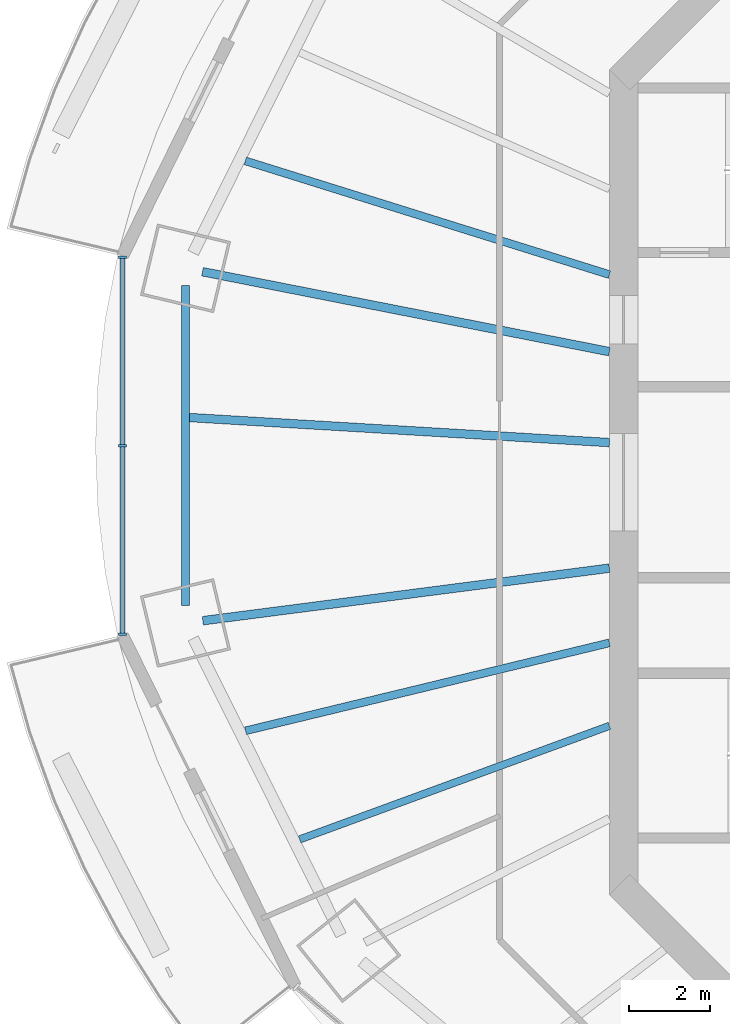
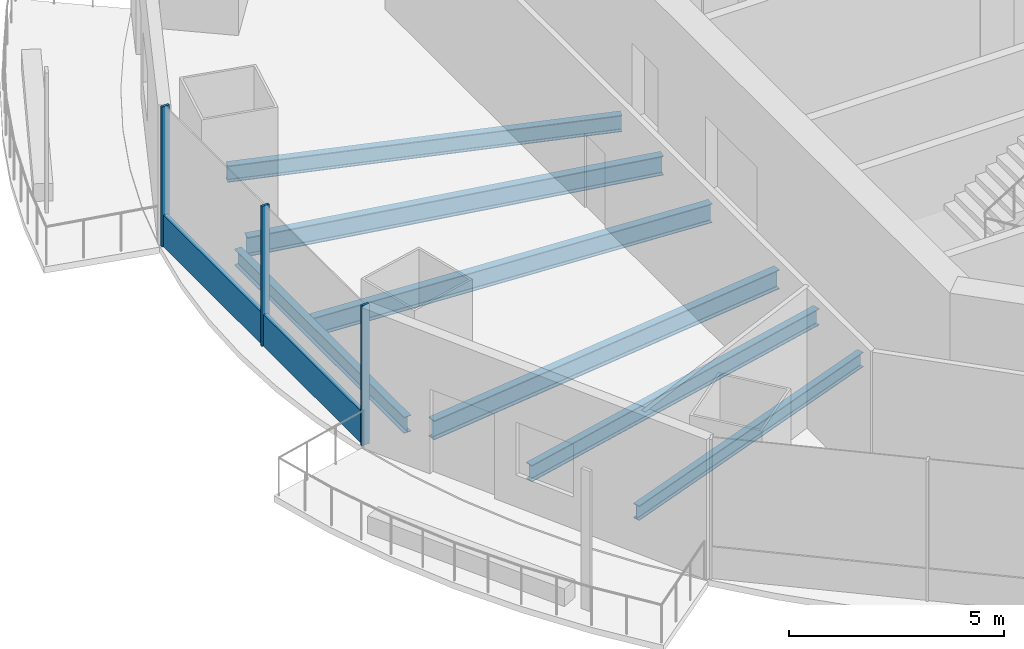
# One storey, part 3 of 16: 7 beams, 4 members, 1 element without a shape of its own.
"""IFC4 building model written with IfcOpenShell, lengths in metres."""

from ifc_helpers import new_model, si_unit, direction, frame, origin, origin_2d, place, context, subcontext, project, spatial, rectangle, i_section, extrude, material, material_profile, profile_set, type_object, element, aggregate, save


model = new_model("IFC4")

# Units and contexts
model_context = context("Model", 3, precision=1e-05, world=origin(), true_north=direction((0.0, 1.0)))
body_context = subcontext(model_context, "Body", "Model", "MODEL_VIEW")
ifc_project = project(units=[si_unit("LENGTHUNIT", "METRE"), si_unit("AREAUNIT", "SQUARE_METRE"), si_unit("VOLUMEUNIT", "CUBIC_METRE"), si_unit("PLANEANGLEUNIT", "RADIAN"), si_unit("MASSUNIT", "GRAM", prefix="KILO")], contexts=[model_context])

# Site, building, storey
site_placement = place(None, origin())
site = spatial("IfcSite", under=ifc_project, at=site_placement, CompositionType="ELEMENT")
building_placement = place(site_placement, origin())
building = spatial("IfcBuilding", under=site, at=building_placement, Name="Marenthal Gate Tower", CompositionType="ELEMENT")
storey_placement = place(building_placement, frame((0.0, 0.0, 296.949951171875)))
storey = spatial("IfcBuildingStorey", under=building, at=storey_placement, Name="L66", CompositionType="ELEMENT", Elevation=296.949951171875)

# Curtain wall, members
ifc_material_1 = material(Name="Aluminium and glass", Category="aluminium")
curtain_wall_type = type_object("IfcCurtainWallType", Name="Curtain wall typical high", PredefinedType="NOTDEFINED", material=ifc_material_1)
curtain_wall_placement = place(storey_placement, origin())
curtain_wall = element("IfcCurtainWall", 1, at=curtain_wall_placement, inside=storey, type_object=curtain_wall_type, Name="Curtain wall L66 bay 8", PredefinedType="NOTDEFINED")
ifc_material_2 = material(Name="Aluminium", Category="aluminium")
ifc_material_profile_1 = material_profile(ifc_material_2, rectangle(XDim=0.199951171875, YDim=0.06005859375, at=origin_2d()), Name="60x200 aluminium mullion")
ifc_profile_set_1 = profile_set([ifc_material_profile_1], Name="Aluminium")
member_type_1 = type_object("IfcMemberType", Name="Mullion 60x200 typical high", PredefinedType="MULLION", material=ifc_profile_set_1)
member_1_placement = place(storey_placement, frame((-28.328857421875, 5.5400390625, 0.0), z_axis=(0.0, 0.0, 1.0), x_axis=(1.0, 0.0, 0.0)))
member_1 = element("IfcMember", 2, at=member_1_placement, type_object=member_type_1, Name="Mullion L66 bay 8.1", PredefinedType="MULLION", context=body_context, shape_type="SweptSolid", body=[
    extrude(rectangle(XDim=0.199951171875, YDim=0.06005859375, at=origin_2d()), origin(), (0.0, 0.0, 1.0), 3.969970703125),
])
member_2_placement = place(storey_placement, frame((-28.328857421875, 0.89990234375, 0.0), z_axis=(0.0, 0.0, 1.0), x_axis=(1.0, 0.0, 0.0)))
member_2 = element("IfcMember", 3, at=member_2_placement, type_object=member_type_1, Name="Mullion L66 bay 8.2", PredefinedType="MULLION", context=body_context, shape_type="SweptSolid", body=[
    extrude(rectangle(XDim=0.199951171875, YDim=0.06005859375, at=origin_2d()), origin(), (0.0, 0.0, 1.0), 3.969970703125),
])
member_3_placement = place(storey_placement, frame((-28.328857421875, -3.739990234375, 0.0), z_axis=(0.0, 0.0, 1.0), x_axis=(1.0, 0.0, 0.0)))
member_3 = element("IfcMember", 4, at=member_3_placement, type_object=member_type_1, Name="Mullion L66 bay 8.3", PredefinedType="MULLION", context=body_context, shape_type="SweptSolid", body=[
    extrude(rectangle(XDim=0.199951171875, YDim=0.06005859375, at=origin_2d()), origin(), (0.0, 0.0, 1.0), 3.969970703125),
])
ifc_material_3 = material(Name="Aluminium", Category="aluminium")
ifc_material_profile_2 = material_profile(ifc_material_3, rectangle(XDim=0.1201171875, YDim=0.89990234375, at=origin_2d()), Name="120x900 aluminium transom")
ifc_profile_set_2 = profile_set([ifc_material_profile_2], Name="Aluminium")
member_type_2 = type_object("IfcMemberType", Name="Transom 120x900 typical high", PredefinedType="USERDEFINED", material=ifc_profile_set_2)
member_4_placement = place(storey_placement, frame((-28.328857421875, 5.510009765625, 0.449951171875), z_axis=(0.0, -1.0, 0.0), x_axis=(1.0, 0.0, 0.0)))
member_4 = element("IfcMember", 5, at=member_4_placement, type_object=member_type_2, Name="Transom L66 bay 8", ObjectType="TRANSOM", PredefinedType="USERDEFINED", context=body_context, shape_type="SweptSolid", body=[
    extrude(rectangle(XDim=0.1201171875, YDim=0.89990234375, at=origin_2d()), origin(), (0.0, 0.0, 1.0), 9.22021484375),
])
aggregate(curtain_wall, [member_1, member_2, member_3, member_4])

# Beams
ifc_material_4 = material(Name="Steel S355", Category="steel")
ifc_material_profile_3 = material_profile(ifc_material_4, i_section(OverallWidth=0.180908203125, OverallDepth=0.4169921875, WebThickness=0.010986328125, FlangeThickness=0.018310546875, FilletRadius=0.01025390625, at=origin_2d()), Name="W410X85")
ifc_profile_set_3 = profile_set([ifc_material_profile_3], Name="Steel S355")
beam_type_1 = type_object("IfcBeamType", Name="W410X85 beam", PredefinedType="BEAM", material=ifc_profile_set_3)
beam_1_placement = place(storey_placement, frame((-23.969970703125, -8.78662109375, -0.388427734375), z_axis=(0.938905805694, 0.344174211751, 0.0), x_axis=(-0.344174211751, 0.938905805694, 0.0)))
element("IfcBeam", 6, at=beam_1_placement, inside=storey, type_object=beam_type_1, Name="BM-L66-30", PredefinedType="BEAM", context=body_context, shape_type="SweptSolid", body=[
    extrude(i_section(OverallWidth=0.180908203125, OverallDepth=0.4169921875, WebThickness=0.010986328125, FlangeThickness=0.018310546875, FilletRadius=0.01025390625, at=origin_2d()), origin(), (0.0, 0.0, 1.0), 8.11572265625),
])
ifc_material_5 = material(Name="Steel S355", Category="steel")
ifc_material_profile_4 = material_profile(ifc_material_5, i_section(OverallWidth=0.19091796875, OverallDepth=0.45703125, WebThickness=0.009033203125, FlangeThickness=0.014404296875, FilletRadius=0.01025390625, at=origin_2d()), Name="W460X74")
ifc_profile_set_4 = profile_set([ifc_material_profile_4], Name="Steel S355")
beam_type_2 = type_object("IfcBeamType", Name="W460X74 beam", PredefinedType="BEAM", material=ifc_profile_set_4)
beam_2_placement = place(storey_placement, frame((-26.779296875, 4.83642578125, -0.408447265625), z_axis=(0.0, -1.0, 0.0), x_axis=(1.0, 0.0, 0.0)))
element("IfcBeam", 7, at=beam_2_placement, inside=storey, type_object=beam_type_2, Name="BM-L66-48", PredefinedType="BEAM", context=body_context, shape_type="SweptSolid", body=[
    extrude(i_section(OverallWidth=0.19091796875, OverallDepth=0.45703125, WebThickness=0.009033203125, FlangeThickness=0.014404296875, FilletRadius=0.01025390625, at=origin_2d()), origin(), (0.0, 0.0, 1.0), 7.872802734375),
])
ifc_material_6 = material(Name="Steel S355", Category="steel")
ifc_material_profile_5 = material_profile(ifc_material_6, i_section(OverallWidth=0.193115234375, OverallDepth=0.467041015625, WebThickness=0.011474609375, FlangeThickness=0.01904296875, FilletRadius=0.010009765625, at=origin_2d()), Name="W460X97")
ifc_profile_set_5 = profile_set([ifc_material_profile_5], Name="Steel S355")
beam_type_3 = type_object("IfcBeamType", Name="W460X97 beam", PredefinedType="BEAM", material=ifc_profile_set_5)
beam_3_placement = place(storey_placement, frame((-25.3056640625, 7.90625, -0.413330078125), z_axis=(0.954495718839, -0.298224617895, 0.0), x_axis=(0.298224617895, 0.954495718839, 0.0)))
element("IfcBeam", 8, at=beam_3_placement, inside=storey, type_object=beam_type_3, Name="BM-L66-27", PredefinedType="BEAM", context=body_context, shape_type="SweptSolid", body=[
    extrude(i_section(OverallWidth=0.193115234375, OverallDepth=0.467041015625, WebThickness=0.011474609375, FlangeThickness=0.01904296875, FilletRadius=0.010009765625, at=origin_2d()), origin(), (0.0, 0.0, 1.0), 9.382568359375),
])
beam_4_placement = place(storey_placement, frame((-25.301513671875, -6.11474609375, -0.413330078125), z_axis=(0.972016698111, 0.234911767679, 0.0), x_axis=(-0.234911767679, 0.972016698111, 0.0)))
element("IfcBeam", 9, at=beam_4_placement, inside=storey, type_object=beam_type_3, Name="BM-L66-29", PredefinedType="BEAM", context=body_context, shape_type="SweptSolid", body=[
    extrude(i_section(OverallWidth=0.193115234375, OverallDepth=0.467041015625, WebThickness=0.011474609375, FlangeThickness=0.01904296875, FilletRadius=0.010009765625, at=origin_2d()), origin(), (0.0, 0.0, 1.0), 9.209228515625),
])
ifc_material_7 = material(Name="Steel S355", Category="steel")
ifc_material_profile_6 = material_profile(ifc_material_7, i_section(OverallWidth=0.2099609375, OverallDepth=0.535888671875, WebThickness=0.010986328125, FlangeThickness=0.017333984375, FilletRadius=0.0126953125, at=origin_2d()), Name="W530X101")
ifc_profile_set_6 = profile_set([ifc_material_profile_6], Name="Steel S355")
beam_type_4 = type_object("IfcBeamType", Name="W530X101 beam", PredefinedType="BEAM", material=ifc_profile_set_6)
beam_5_placement = place(storey_placement, frame((-26.68359375, 1.59228515625, -0.447998046875), z_axis=(0.998223913862, -0.059573633379, 0.0), x_axis=(0.059573633379, 0.998223913862, 0.0)))
element("IfcBeam", 10, at=beam_5_placement, inside=storey, type_object=beam_type_4, Name="BM-L66-28", PredefinedType="BEAM", context=body_context, shape_type="SweptSolid", body=[
    extrude(i_section(OverallWidth=0.2099609375, OverallDepth=0.535888671875, WebThickness=0.010986328125, FlangeThickness=0.017333984375, FilletRadius=0.0126953125, at=origin_2d()), origin(), (0.0, 0.0, 1.0), 10.351806640625),
])
ifc_material_8 = material(Name="Steel S355", Category="steel")
ifc_material_profile_7 = material_profile(ifc_material_8, i_section(OverallWidth=0.2119140625, OverallDepth=0.5439453125, WebThickness=0.01318359375, FlangeThickness=0.021240234375, FilletRadius=0.0126953125, at=origin_2d()), Name="W530X123")
ifc_profile_set_7 = profile_set([ifc_material_profile_7], Name="Steel S355")
beam_type_5 = type_object("IfcBeamType", Name="W530X123 beam", PredefinedType="BEAM", material=ifc_profile_set_7)
beam_6_placement = place(storey_placement, frame((-26.361328125, 5.1796875, -0.451904296875), z_axis=(0.981238636223, -0.192797144126, 0.0), x_axis=(0.192797144126, 0.981238636223, 0.0)))
element("IfcBeam", 11, at=beam_6_placement, inside=storey, type_object=beam_type_5, Name="BM-L66-08", PredefinedType="BEAM", context=body_context, shape_type="SweptSolid", body=[
    extrude(i_section(OverallWidth=0.2119140625, OverallDepth=0.5439453125, WebThickness=0.01318359375, FlangeThickness=0.021240234375, FilletRadius=0.0126953125, at=origin_2d()), origin(), (0.0, 0.0, 1.0), 10.20263671875),
])
beam_7_placement = place(storey_placement, frame((-26.3525390625, -3.406494140625, -0.451904296875), z_axis=(0.991748505128, 0.128198683992, 0.0), x_axis=(-0.128198683992, 0.991748505128, 0.0)))
element("IfcBeam", 12, at=beam_7_placement, inside=storey, type_object=beam_type_5, Name="BM-L66-09", PredefinedType="BEAM", context=body_context, shape_type="SweptSolid", body=[
    extrude(i_section(OverallWidth=0.2119140625, OverallDepth=0.5439453125, WebThickness=0.01318359375, FlangeThickness=0.021240234375, FilletRadius=0.0126953125, at=origin_2d()), origin(), (0.0, 0.0, 1.0), 10.085693359375),
])

save(model, "model.ifc")
